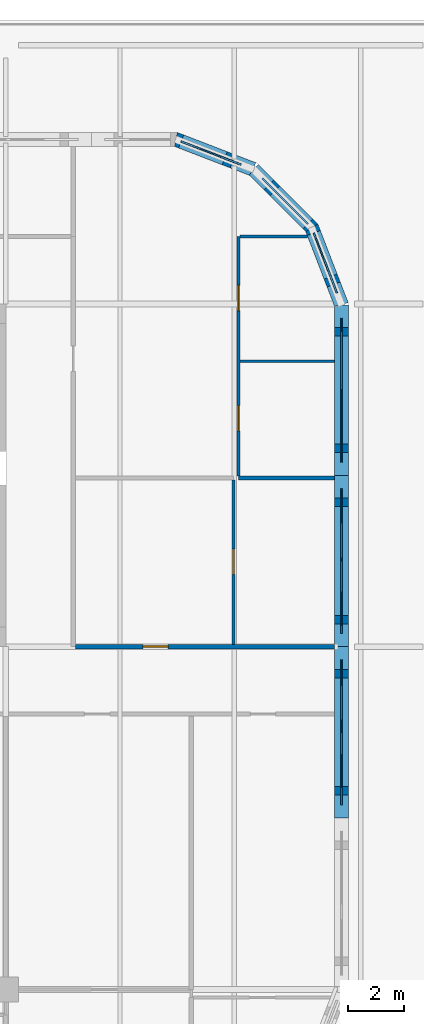
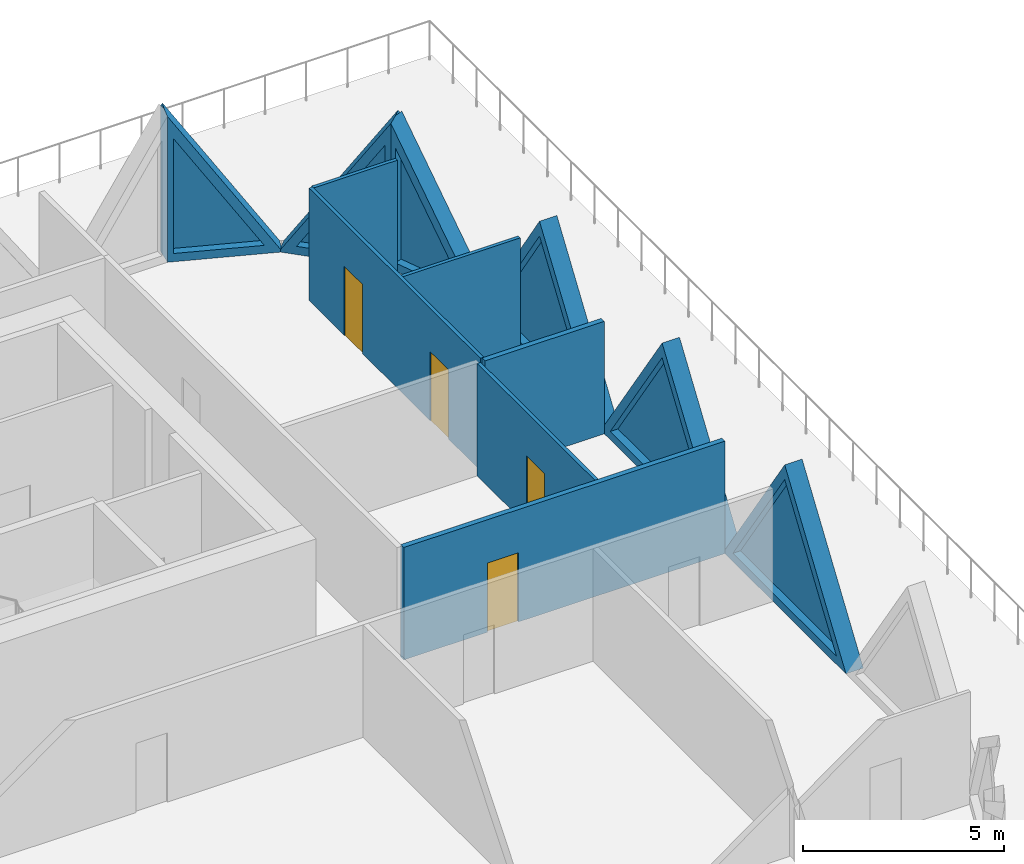
# One storey, part 17 of 21: 12 walls, 6 plates, 4 doors, 10 openings.
"""IFC4 building model written with IfcOpenShell, lengths in metres."""

import ifcopenshell
import ifcopenshell.guid

model = None  # the IFC model being written
_history = None  # IfcOwnerHistory: only IFC2X3 demands one
_inside = {}  # id of a spatial element -> (the spatial element, [elements in it])
_under = {}  # id of a project, library or spatial element -> (it, [spatial elements below it])
_declared = {}  # id of a project -> (the project, [libraries it declares])
_typed = {}  # id of a type object -> (the type object, [elements of that type])
_made_of = {}  # id of a material, layer set ... -> (it, [elements and type objects made of it])


def new_model(schema):
    """Start an empty IFC model of exactly this schema.

    Asked for "IFC4X3", IfcOpenShell would pick the latest addendum, in which some entities
    have other attributes; the version numbers below select the first issue.
    IFC2X3 requires an IfcOwnerHistory on every rooted entity: one is made here for all.
    """
    global model, _history
    if schema == "IFC4X3":
        model = ifcopenshell.file(schema_version=(4, 3, 0, 0))
    else:
        model = ifcopenshell.file(schema=schema)
    _inside.clear()
    _under.clear()
    _declared.clear()
    _typed.clear()
    _made_of.clear()
    _history = None
    if model.schema == "IFC2X3":
        org = make("IfcOrganization", Name="unknown")
        user = make(
            "IfcPersonAndOrganization",
            ThePerson=make("IfcPerson", FamilyName="unknown"),
            TheOrganization=org,
        )
        app = make(
            "IfcApplication",
            ApplicationDeveloper=org,
            Version="unknown",
            ApplicationFullName="unknown",
            ApplicationIdentifier="unknown",
        )
        _history = make(
            "IfcOwnerHistory",
            OwningUser=user,
            OwningApplication=app,
            ChangeAction="ADDED",
            CreationDate=0,
        )
    return model


def make(cls, **values):
    """One entity of the class cls with the attributes given. An attribute that is None is left unset."""
    return model.create_entity(
        cls, **{name: value for name, value in values.items() if value is not None}
    )


def rooted(cls, **values):
    """An entity with a GlobalId (a new one), such as an element, a storey or a relation."""
    return make(cls, GlobalId=ifcopenshell.guid.new(), OwnerHistory=_history, **values)


def si_unit(unit_type, name, prefix=None):
    """IfcSIUnit, for example si_unit("LENGTHUNIT", "METRE", prefix="MILLI")."""
    return make("IfcSIUnit", UnitType=unit_type, Prefix=prefix, Name=name)


def assignment(units):
    """IfcUnitAssignment: the units of a project."""
    return None if units is None else make("IfcUnitAssignment", Units=units)


def point(xyz):
    """IfcCartesianPoint."""
    return None if xyz is None else make("IfcCartesianPoint", Coordinates=xyz)


def direction(xyz):
    """IfcDirection."""
    return None if xyz is None else make("IfcDirection", DirectionRatios=xyz)


def frame(location, z_axis=None, x_axis=None):
    """IfcAxis2Placement3D, a coordinate frame: its origin and axes. An axis left out is left unset."""
    return make(
        "IfcAxis2Placement3D",
        Location=point(location),
        Axis=direction(z_axis),
        RefDirection=direction(x_axis),
    )


def frame_2d(location, x_axis=None):
    """IfcAxis2Placement2D, a coordinate frame in the plane: its origin and x axis."""
    return make(
        "IfcAxis2Placement2D", Location=point(location), RefDirection=direction(x_axis)
    )


def origin():
    """The frame at (0, 0, 0) with its axes left unset."""
    return frame((0.0, 0.0, 0.0))


def place(relative_to, where):
    """IfcLocalPlacement: puts the frame where relative to a parent placement (None: the world)."""
    return make(
        "IfcLocalPlacement", PlacementRelTo=relative_to, RelativePlacement=where
    )


def context(
    kind, dimensions, precision=None, world=None, true_north=None, identifier=None
):
    """IfcGeometricRepresentationContext, for example the 3D "Model" context."""
    return make(
        "IfcGeometricRepresentationContext",
        ContextIdentifier=identifier,
        ContextType=kind,
        CoordinateSpaceDimension=dimensions,
        Precision=precision,
        WorldCoordinateSystem=world,
        TrueNorth=true_north,
    )


def subcontext(parent, identifier, kind, view, scale=None):
    """IfcGeometricRepresentationSubContext, for example "Body" below "Model"."""
    return make(
        "IfcGeometricRepresentationSubContext",
        ContextIdentifier=identifier,
        ContextType=kind,
        ParentContext=parent,
        TargetScale=scale,
        TargetView=view,
    )


def project(units=None, contexts=None):
    """IfcProject with its units and contexts."""
    return rooted(
        "IfcProject",
        Name="project",
        RepresentationContexts=contexts,
        UnitsInContext=assignment(units),
    )


def spatial(cls, under=None, at=None, **own):
    """A site, building, storey or space (cls), placed at a placement, below another one or the project."""
    s = rooted(cls, ObjectPlacement=at, **own)
    if under is not None:
        _under.setdefault(under.id(), (under, []))[1].append(s)
    return s


def polyline(points):
    """IfcPolyline through the points."""
    return make("IfcPolyline", Points=[point(p) for p in points])


def profile(cls, at=None, kind="AREA", **sizes):
    """A parametric profile (cls). Its sizes go by their IFC names, for example OverallWidth=200.0."""
    return make(cls, ProfileType=kind, Position=at, **sizes)


def rectangle(**sizes):
    """IfcRectangleProfileDef."""
    return profile("IfcRectangleProfileDef", **sizes)


def outline(outer, holes=None, kind="AREA"):
    """IfcArbitraryClosedProfileDef: a profile drawn as a closed curve; with holes, ...WithVoids."""
    if holes is None:
        return make("IfcArbitraryClosedProfileDef", ProfileType=kind, OuterCurve=outer)
    return make(
        "IfcArbitraryProfileDefWithVoids",
        ProfileType=kind,
        OuterCurve=outer,
        InnerCurves=holes,
    )


def extrude(swept, where, along, depth):
    """IfcExtrudedAreaSolid: the profile swept, set in the frame where, extruded along a direction by depth."""
    return make(
        "IfcExtrudedAreaSolid",
        SweptArea=swept,
        Position=where,
        ExtrudedDirection=direction(along),
        Depth=depth,
    )


def faces_of(points, faces, orient=None, outer=None):
    """IfcFace entities. A face is a list of loops; a loop is a list of indices into points, from 0.

    orient and outer hold one flag for each loop. By default every Orientation is true, the
    first loop of a face is its IfcFaceOuterBound and the others are IfcFaceBound.
    """
    made = []
    for i, loops in enumerate(faces):
        bounds = []
        for j, loop in enumerate(loops):
            is_outer = j == 0 if outer is None else outer[i][j]
            bounds.append(
                make(
                    "IfcFaceOuterBound" if is_outer else "IfcFaceBound",
                    Bound=make("IfcPolyLoop", Polygon=[points[k] for k in loop]),
                    Orientation=True if orient is None else orient[i][j],
                )
            )
        made.append(make("IfcFace", Bounds=bounds))
    return made


def faceted_brep(points, faces, orient=None, outer=None, voids=None):
    """IfcFacetedBrep: a solid bounded by flat faces; with voids (closed shells), ...WithVoids."""
    shared = [point(p) for p in points]
    hull = make("IfcClosedShell", CfsFaces=faces_of(shared, faces, orient, outer))
    if voids is None:
        return make("IfcFacetedBrep", Outer=hull)
    return make(
        "IfcFacetedBrepWithVoids",
        Outer=hull,
        Voids=[
            make(cls, CfsFaces=faces_of(shared, fs, o, b)) for cls, fs, o, b in voids
        ],
    )


def shape(context_of_items, identifier, shape_type, items):
    """IfcShapeRepresentation: the items that make up one representation, for example the "Body"."""
    return make(
        "IfcShapeRepresentation",
        ContextOfItems=context_of_items,
        RepresentationIdentifier=identifier,
        RepresentationType=shape_type,
        Items=items,
    )


def source(mapping_origin, context_of_items, identifier, shape_type, items):
    """IfcRepresentationMap: a shape defined once, which mapped items show again and again."""
    return make(
        "IfcRepresentationMap",
        MappingOrigin=mapping_origin,
        MappedRepresentation=shape(context_of_items, identifier, shape_type, items),
    )


def transform(
    local_origin,
    x_axis=None,
    y_axis=None,
    z_axis=None,
    scale=None,
    scale2=None,
    scale3=None,
    uniform=True,
):
    """IfcCartesianTransformationOperator3D, or its non-uniform kind. x_axis, y_axis, z_axis: its Axis1, 2, 3."""
    if uniform:
        return make(
            "IfcCartesianTransformationOperator3D",
            Axis1=direction(x_axis),
            Axis2=direction(y_axis),
            LocalOrigin=point(local_origin),
            Scale=scale,
            Axis3=direction(z_axis),
        )
    return make(
        "IfcCartesianTransformationOperator3DnonUniform",
        Axis1=direction(x_axis),
        Axis2=direction(y_axis),
        LocalOrigin=point(local_origin),
        Scale=scale,
        Axis3=direction(z_axis),
        Scale2=scale2,
        Scale3=scale3,
    )


def mapped(mapping_source, mapping_target):
    """IfcMappedItem: shows the shape of a source again, moved by a transform."""
    return make(
        "IfcMappedItem", MappingSource=mapping_source, MappingTarget=mapping_target
    )


def material(Name=None, Category=None):
    """IfcMaterial."""
    return make("IfcMaterial", Name=Name, Category=Category)


def layer(
    of_material, thickness, ventilated=None, Name=None, Category=None, Priority=None
):
    """IfcMaterialLayer: one layer of a wall or slab, of a material (None: an air gap)."""
    return make(
        "IfcMaterialLayer",
        Material=of_material,
        LayerThickness=thickness,
        IsVentilated=ventilated,
        Name=Name,
        Category=Category,
        Priority=Priority,
    )


def layer_set(layers, Name=None):
    """IfcMaterialLayerSet."""
    return make("IfcMaterialLayerSet", MaterialLayers=layers, LayerSetName=Name)


def made_of(thing, what):
    """Note that an element or type object is made of a material, layer set ...; save() writes the relation."""
    if what is not None:
        _made_of.setdefault(what.id(), (what, []))[1].append(thing)
    return thing


def type_object(cls, material=None, **own):
    """A type object (cls), such as IfcWallType, which elements share."""
    return made_of(rooted(cls, **own), material)


def element(
    cls,
    number,
    at=None,
    inside=None,
    cuts=None,
    type_object=None,
    material=None,
    context=None,
    identifier="Body",
    shape_type=None,
    held_by="IfcProductDefinitionShape",
    body=None,
    shapes=None,
    **own,
):
    """One element of the class cls, such as IfcWall. Its Tag is "e" and its number.

    at: its placement. inside: the storey or other place that contains it. cuts: it is an
    opening in that element (IfcRelVoidsElement). A single representation is given by context,
    identifier, shape_type and body (its items); several are given by shapes. held_by: the class
    of the entity that holds the representations. save() writes the other relations.
    """
    e = rooted(cls, Tag="e%d" % number, ObjectPlacement=at, **own)
    if body is not None:
        shapes = [shape(context, identifier, shape_type, body)]
    if shapes is not None:
        e.Representation = make(held_by, Representations=shapes)
    if inside is not None:
        _inside.setdefault(inside.id(), (inside, []))[1].append(e)
    if cuts is not None:
        rooted(
            "IfcRelVoidsElement", RelatingBuildingElement=cuts, RelatedOpeningElement=e
        )
    if type_object is not None:
        _typed.setdefault(type_object.id(), (type_object, []))[1].append(e)
    return made_of(e, material)


def fill(opening, filler):
    """IfcRelFillsElement: the door or window that sits in an opening."""
    return rooted(
        "IfcRelFillsElement",
        RelatingOpeningElement=opening,
        RelatedBuildingElement=filler,
    )


def aggregate(whole, parts):
    """IfcRelAggregates: a whole, such as a stair, and the parts it consists of."""
    return rooted("IfcRelAggregates", RelatingObject=whole, RelatedObjects=parts)


def save(model, path):
    """Write the relations noted so far, then the file.

    IfcRelAggregates (storeys below a building ...), IfcRelContainedInSpatialStructure (elements
    in a storey), IfcRelDefinesByType, IfcRelAssociatesMaterial and IfcRelDeclares: one each for
    every whole, place, type object, material and project.
    """
    for whole, parts in _under.values():
        aggregate(whole, parts)
    for where, things in _inside.values():
        rooted(
            "IfcRelContainedInSpatialStructure",
            RelatedElements=things,
            RelatingStructure=where,
        )
    for kind, things in _typed.values():
        rooted("IfcRelDefinesByType", RelatedObjects=things, RelatingType=kind)
    for what, things in _made_of.values():
        rooted("IfcRelAssociatesMaterial", RelatedObjects=things, RelatingMaterial=what)
    for by, libraries in _declared.values():
        rooted("IfcRelDeclares", RelatingContext=by, RelatedDefinitions=libraries)
    model.write(path)


model = new_model("IFC4")

# Units and contexts
model_context = context("Model", 3, precision=1e-05, world=origin(), true_north=direction((0.0, 1.0)))
body_context = subcontext(model_context, "Body", "Model", "MODEL_VIEW")
ifc_project = project(units=[si_unit("LENGTHUNIT", "METRE"), si_unit("AREAUNIT", "SQUARE_METRE"), si_unit("VOLUMEUNIT", "CUBIC_METRE"), si_unit("PLANEANGLEUNIT", "RADIAN"), si_unit("MASSUNIT", "GRAM", prefix="KILO")], contexts=[model_context])

# Site, building, storey
site_placement = place(None, origin())
site = spatial("IfcSite", under=ifc_project, at=site_placement, CompositionType="ELEMENT")
building_placement = place(site_placement, origin())
building = spatial("IfcBuilding", under=site, at=building_placement, Name="Tessera Gate Towers", CompositionType="ELEMENT")
storey_placement = place(building_placement, frame((0.0, 0.0, 16.800048828125)))
storey = spatial("IfcBuildingStorey", under=building, at=storey_placement, Name="L03", CompositionType="ELEMENT", Elevation=16.800048828125)

# Wall, opening, door
ifc_material_1 = material(Name="Gypsum board on steel studs, mineral wool", Category="steel")
ifc_layer_1 = layer(ifc_material_1, 0.14990234375)
ifc_layer_set_1 = layer_set([ifc_layer_1], Name="CORRIDOR WALL 150")
wall_type_1 = type_object("IfcWallType", Name="CORRIDOR WALL 150", PredefinedType="PARTITIONING", material=ifc_layer_set_1)
wall_1_placement = place(storey_placement, frame((124.47607421875, 36.60009765625, 0.0), z_axis=(0.0, 0.0, 1.0), x_axis=(1.0, 0.0, 0.0)))
wall_1 = element("IfcWall", 1, at=wall_1_placement, inside=storey, type_object=wall_type_1, Name="T2-L03-PW-026", PredefinedType="PARTITIONING", context=body_context, shape_type="SweptSolid", body=[
    extrude(rectangle(XDim=9.223876953125, YDim=0.14990234375, at=frame_2d((4.61181640625, 0.0))), origin(), (0.0, 0.0, 1.0), 3.4150390625),
])
shared_shape_1 = source(origin(), body_context, "Body", "SweptSolid", [
    extrude(rectangle(XDim=0.89990234375, YDim=2.10009765625, at=frame_2d((0.449951171875, 1.050048828125))), frame((0.0, 0.0849609375, 0.0), z_axis=(0.0, -1.0, 0.0), x_axis=(1.0, 0.0, 0.0)), (0.0, 0.0, 1.0), 0.169921875),
])
opening_1_placement = place(wall_1_placement, frame((2.39990234375, 0.0, 0.0)))
opening_1 = element("IfcOpeningElement", 2, at=opening_1_placement, cuts=wall_1, Name="Opening D890FD60-B01-08", PredefinedType="OPENING", context=body_context, shape_type="MappedRepresentation", body=[
    mapped(shared_shape_1, transform((0.0, 0.0, 0.0), scale=1.0)),
])
ifc_material_2 = material(Name="Timber door leaf in steel frame", Category="steel")
door_type_1 = type_object("IfcDoorType", Name="CORRIDOR DOOR 900 FD60", OperationType="NOTDEFINED", PredefinedType="DOOR", material=ifc_material_2)
shared_shape_2 = source(origin(), body_context, "Body", "SweptSolid", [
    extrude(rectangle(XDim=0.89990234375, YDim=2.10009765625, at=frame_2d((0.449951171875, 1.050048828125))), frame((0.0, 0.02490234375, 0.0), z_axis=(0.0, -1.0, 0.0), x_axis=(1.0, 0.0, 0.0)), (0.0, 0.0, 1.0), 0.050048828125),
])
door_1_placement = place(opening_1_placement, origin())
door_1 = element("IfcDoor", 3, at=door_1_placement, inside=storey, type_object=door_type_1, Name="T2-L03-PD-022", OperationType="SINGLE_SWING_LEFT", OverallHeight=2.10009765625, OverallWidth=0.89990234375, PredefinedType="DOOR", context=body_context, shape_type="MappedRepresentation", body=[
    mapped(shared_shape_2, transform((0.0, 0.0, 0.0), scale=1.0)),
])
fill(opening_1, door_1)

ifc_material_3 = material(Name="Glass", Category="glass")
ifc_layer_2 = layer(ifc_material_3, 0.10009765625)
ifc_layer_set_2 = layer_set([ifc_layer_2], Name="GLAZED PARTITION 100")
wall_type_2 = type_object("IfcWallType", Name="GLAZED PARTITION 100", PredefinedType="PARTITIONING", material=ifc_layer_set_2)
wall_2_placement = place(storey_placement, frame((130.10009765625, 42.52392578125, 0.0), z_axis=(0.0, 0.0, 1.0), x_axis=(0.0, -1.0, 0.0)))
wall_2 = element("IfcWall", 4, at=wall_2_placement, inside=storey, type_object=wall_type_2, Name="T2-L03-PW-028", PredefinedType="PARTITIONING", context=body_context, shape_type="SweptSolid", body=[
    extrude(rectangle(XDim=5.847900390625, YDim=0.10009765625, at=frame_2d((2.923828125, 0.0))), origin(), (0.0, 0.0, 1.0), 3.4150390625),
])
shared_shape_3 = source(origin(), body_context, "Body", "SweptSolid", [
    extrude(rectangle(XDim=0.89990234375, YDim=2.10009765625, at=frame_2d((0.449951171875, 1.050048828125))), frame((0.0, 0.06005859375, 0.0), z_axis=(0.0, -1.0, 0.0), x_axis=(1.0, 0.0, 0.0)), (0.0, 0.0, 1.0), 0.1201171875),
])
opening_2_placement = place(wall_2_placement, frame((2.447998046875, 0.0, 0.0)))
opening_2 = element("IfcOpeningElement", 5, at=opening_2_placement, cuts=wall_2, Name="Opening D690-B01-05", PredefinedType="OPENING", context=body_context, shape_type="MappedRepresentation", body=[
    mapped(shared_shape_3, transform((0.0, 0.0, 0.0), scale=1.0)),
])
ifc_material_4 = material(Name="Glass in aluminium frame", Category="aluminium")
door_type_2 = type_object("IfcDoorType", Name="GLAZED DOOR 900 NOT RATED", OperationType="NOTDEFINED", PredefinedType="DOOR", material=ifc_material_4)
door_2_placement = place(opening_2_placement, origin())
door_2 = element("IfcDoor", 6, at=door_2_placement, inside=storey, type_object=door_type_2, Name="T2-L03-PD-010", OperationType="SINGLE_SWING_RIGHT", OverallHeight=2.10009765625, OverallWidth=0.89990234375, PredefinedType="DOOR", context=body_context, shape_type="MappedRepresentation", body=[
    mapped(shared_shape_2, transform((0.0, 0.0, 0.0), scale=1.0)),
])
fill(opening_2, door_2)

# Wall, openings, doors
ifc_material_5 = material(Name="Gypsum board on steel studs", Category="steel")
ifc_layer_3 = layer(ifc_material_5, 0.10009765625)
ifc_layer_set_3 = layer_set([ifc_layer_3], Name="PARTITION 100")
wall_type_3 = type_object("IfcWallType", Name="PARTITION 100", PredefinedType="PARTITIONING", material=ifc_layer_set_3)
wall_3_placement = place(storey_placement, frame((130.280029296875, 51.199951171875, 0.0), z_axis=(0.0, 0.0, 1.0), x_axis=(0.0, -1.0, 0.0)))
wall_3 = element("IfcWall", 7, at=wall_3_placement, inside=storey, type_object=wall_type_3, Name="T2-L03-PW-033", PredefinedType="PARTITIONING", context=body_context, shape_type="SweptSolid", body=[
    extrude(rectangle(XDim=8.52392578125, YDim=0.10009765625, at=frame_2d((4.261962890625, 0.0))), origin(), (0.0, 0.0, 1.0), 3.4150390625),
])
opening_3_placement = place(wall_3_placement, frame((6.02392578125, 0.0, 0.0)))
opening_3 = element("IfcOpeningElement", 8, at=opening_3_placement, cuts=wall_3, Name="Opening D190-B01-01", PredefinedType="OPENING", context=body_context, shape_type="MappedRepresentation", body=[
    mapped(shared_shape_3, transform((0.0, 0.0, 0.0), scale=1.0)),
])
opening_4_placement = place(wall_3_placement, frame((1.745361328125, 0.0, 0.0)))
opening_4 = element("IfcOpeningElement", 9, at=opening_4_placement, cuts=wall_3, Name="Opening D190-B01-06", PredefinedType="OPENING", context=body_context, shape_type="MappedRepresentation", body=[
    mapped(shared_shape_3, transform((0.0, 0.0, 0.0), scale=1.0)),
])
ifc_material_6 = material(Name="Timber door leaf in steel frame", Category="steel")
door_type_3 = type_object("IfcDoorType", Name="INTERNAL DOOR 900 NOT RATED", OperationType="NOTDEFINED", PredefinedType="DOOR", material=ifc_material_6)
door_3_placement = place(opening_3_placement, origin())
door_3 = element("IfcDoor", 10, at=door_3_placement, inside=storey, type_object=door_type_3, Name="T2-L03-PD-001", OperationType="SINGLE_SWING_RIGHT", OverallHeight=2.10009765625, OverallWidth=0.89990234375, PredefinedType="DOOR", context=body_context, shape_type="MappedRepresentation", body=[
    mapped(shared_shape_2, transform((0.0, 0.0, 0.0), scale=1.0)),
])
fill(opening_3, door_3)
door_4_placement = place(opening_4_placement, origin())
door_4 = element("IfcDoor", 11, at=door_4_placement, inside=storey, type_object=door_type_3, Name="T2-L03-PD-015", OperationType="SINGLE_SWING_RIGHT", OverallHeight=2.10009765625, OverallWidth=0.89990234375, PredefinedType="DOOR", context=body_context, shape_type="MappedRepresentation", body=[
    mapped(shared_shape_2, transform((0.0, 0.0, 0.0), scale=1.0)),
])
fill(opening_4, door_4)

# Walls
wall_4_placement = place(storey_placement, frame((130.3310546875, 46.7548828125, 0.0), z_axis=(0.0, 0.0, 1.0), x_axis=(1.0, 0.0, 0.0)))
element("IfcWall", 12, at=wall_4_placement, inside=storey, type_object=wall_type_3, Name="T2-L03-PW-034", PredefinedType="PARTITIONING", context=body_context, shape_type="SweptSolid", body=[
    extrude(rectangle(XDim=3.368896484375, YDim=0.10009765625, at=frame_2d((1.6845703125, 0.0))), origin(), (0.0, 0.0, 1.0), 3.4150390625),
])
wall_5_placement = place(storey_placement, frame((130.3310546875, 51.199951171875, 0.0), z_axis=(0.0, 0.0, 1.0), x_axis=(1.0, 0.0, 0.0)))
element("IfcWall", 13, at=wall_5_placement, inside=storey, type_object=wall_type_3, Name="T2-L03-PW-040", PredefinedType="PARTITIONING", context=body_context, shape_type="SweptSolid", body=[
    extrude(rectangle(XDim=2.4072265625, YDim=0.10009765625, at=frame_2d((1.20361328125, 0.0))), origin(), (0.0, 0.0, 1.0), 3.4150390625),
])
ifc_material_7 = material(Name="Gypsum board on steel studs, mineral wool", Category="steel")
ifc_layer_4 = layer(ifc_material_7, 0.14990234375)
ifc_layer_set_4 = layer_set([ifc_layer_4], Name="TENANCY WALL 150")
wall_type_4 = type_object("IfcWallType", Name="TENANCY WALL 150", PredefinedType="PARTITIONING", material=ifc_layer_set_4)
wall_6_placement = place(storey_placement, frame((130.280029296875, 42.60009765625, 0.0), z_axis=(0.0, 0.0, 1.0), x_axis=(1.0, 0.0, 0.0)))
element("IfcWall", 14, at=wall_6_placement, inside=storey, type_object=wall_type_4, Name="T2-L03-PW-031", PredefinedType="PARTITIONING", context=body_context, shape_type="SweptSolid", body=[
    extrude(rectangle(XDim=3.419921875, YDim=0.14990234375, at=frame_2d((1.7099609375, 0.0))), origin(), (0.0, 0.0, 1.0), 3.4150390625),
])

# Wall, opening, plate
ifc_material_8 = material(Name="Precast concrete C60/75 white", Category="concrete")
ifc_layer_5 = layer(ifc_material_8, 0.5)
ifc_layer_set_5 = layer_set([ifc_layer_5], Name="TS2 half tessera")
wall_type_5 = type_object("IfcWallType", Name="TS2 half tessera", PredefinedType="SOLIDWALL", material=ifc_layer_set_5)
shared_shape_4 = source(origin(), body_context, "Body", "Brep", [
    faceted_brep([(6.099853515625, -0.25, 0.000244140625), (3.050048828125, -0.25, 4.5), (0.0, -0.25, 0.0), (6.099853515625, -0.25, 0.0), (0.0, 0.25, 0.0), (3.050048828125, 0.25, 4.5), (6.099853515625, 0.25, 0.000244140625), (6.099853515625, 0.25, 0.0)], [[[0, 1, 2, 3]], [[4, 5, 6, 7]], [[6, 5, 1, 0]], [[5, 4, 2, 1]], [[4, 7, 3, 2]], [[3, 7, 6, 0]]]),
])
wall_7_placement = place(storey_placement, frame((133.949951171875, 36.60009765625, 0.0), z_axis=(0.0, 0.0, 1.0), x_axis=(0.0, 1.0, 0.0)))
wall_7 = element("IfcWall", 15, at=wall_7_placement, inside=storey, type_object=wall_type_5, Name="Precast half tessera T2 TS2-0008", PredefinedType="SOLIDWALL", context=body_context, shape_type="MappedRepresentation", body=[
    mapped(shared_shape_4, transform((0.0, 0.0, 0.0), scale=1.0)),
])
shared_shape_5 = source(origin(), body_context, "Body", "SweptSolid", [
    extrude(outline(polyline([(5.628662109375, 0.25), (3.050048828125, 4.054443359375), (0.471435546875, 0.25), (5.628662109375, 0.25)])), frame((0.0, 0.260009765625, 0.0), z_axis=(0.0, -1.0, 0.0), x_axis=(1.0, 0.0, 0.0)), (0.0, 0.0, 1.0), 0.52001953125),
])
opening_5_placement = place(wall_7_placement, origin())
opening_5 = element("IfcOpeningElement", 16, at=opening_5_placement, cuts=wall_7, Name="Opening T2-PL1-0014", PredefinedType="OPENING", context=body_context, shape_type="MappedRepresentation", body=[
    mapped(shared_shape_5, transform((0.0, 0.0, 0.0), scale=1.0)),
])
ifc_material_9 = material(Name="Low-e laminated glass", Category="glass")
ifc_layer_6 = layer(ifc_material_9, 0.06005859375)
ifc_layer_set_6 = layer_set([ifc_layer_6], Name="PL1 triangular pane")
plate_type = type_object("IfcPlateType", Name="PL1 triangular pane", PredefinedType="SHEET", material=ifc_layer_set_6)
shared_shape_6 = source(origin(), body_context, "Body", "SweptSolid", [
    extrude(outline(polyline([(5.628662109375, 0.25), (3.050048828125, 4.054443359375), (0.471435546875, 0.25), (5.628662109375, 0.25)])), frame((0.0, 0.030029296875, 0.0), z_axis=(0.0, -1.0, 0.0), x_axis=(1.0, 0.0, 0.0)), (0.0, 0.0, 1.0), 0.06005859375),
])
plate_1_placement = place(opening_5_placement, origin())
plate_1 = element("IfcPlate", 17, at=plate_1_placement, inside=storey, type_object=plate_type, Name="Glass pane T2 PL1-0014", PredefinedType="SHEET", context=body_context, shape_type="MappedRepresentation", body=[
    mapped(shared_shape_6, transform((0.0, 0.0, 0.0), scale=1.0)),
])
fill(opening_5, plate_1)

shared_shape_7 = source(origin(), body_context, "Body", "SweptSolid", [
    extrude(outline(polyline([(6.10009765625, 0.0), (3.050048828125, 4.5), (0.0, 0.0), (6.10009765625, 0.0)])), frame((0.0, 0.25, 0.0), z_axis=(0.0, -1.0, 0.0), x_axis=(1.0, 0.0, 0.0)), (0.0, 0.0, 1.0), 0.5),
])
wall_8_placement = place(storey_placement, frame((133.949951171875, 30.5, 0.0), z_axis=(0.0, 0.0, 1.0), x_axis=(0.0, 1.0, 0.0)))
wall_8 = element("IfcWall", 18, at=wall_8_placement, inside=storey, type_object=wall_type_5, Name="Precast half tessera T2 TS2-0007", PredefinedType="SOLIDWALL", context=body_context, shape_type="MappedRepresentation", body=[
    mapped(shared_shape_7, transform((0.0, 0.0, 0.0), scale=1.0)),
])
opening_6_placement = place(wall_8_placement, origin())
opening_6 = element("IfcOpeningElement", 19, at=opening_6_placement, cuts=wall_8, Name="Opening T2-PL1-0013", PredefinedType="OPENING", context=body_context, shape_type="MappedRepresentation", body=[
    mapped(shared_shape_5, transform((0.0, 0.0, 0.0), scale=1.0)),
])
plate_2_placement = place(opening_6_placement, origin())
plate_2 = element("IfcPlate", 20, at=plate_2_placement, inside=storey, type_object=plate_type, Name="Glass pane T2 PL1-0013", PredefinedType="SHEET", context=body_context, shape_type="MappedRepresentation", body=[
    mapped(shared_shape_6, transform((0.0, 0.0, 0.0), scale=1.0)),
])
fill(opening_6, plate_2)

shared_shape_8 = source(origin(), body_context, "Body", "Brep", [
    faceted_brep([(6.053466796875, -0.25, 0.0), (3.050048828125, -0.25, 4.5), (0.0, -0.25, 0.0), (0.0, 0.25, 0.0), (3.050048828125, 0.25, 4.5), (6.0068359375, 0.25, 0.06982421875), (6.0068359375, 0.25, 0.0), (6.053466796875, 0.0, 0.0)], [[[0, 1, 2]], [[3, 4, 5, 6]], [[5, 4, 1, 0, 7]], [[4, 3, 2, 1]], [[3, 6, 7, 0, 2]], [[7, 6, 5]]]),
])
wall_9_placement = place(storey_placement, frame((133.949951171875, 42.699951171875, 0.0), z_axis=(0.0, 0.0, 1.0), x_axis=(0.0, 1.0, 0.0)))
wall_9 = element("IfcWall", 21, at=wall_9_placement, inside=storey, type_object=wall_type_5, Name="Precast half tessera T2 TS2-0009", PredefinedType="SOLIDWALL", context=body_context, shape_type="MappedRepresentation", body=[
    mapped(shared_shape_8, transform((0.0, 0.0, 0.0), scale=1.0)),
])
shared_shape_9 = source(origin(), body_context, "Body", "SweptSolid", [
    extrude(outline(polyline([(5.5859375, 0.25), (3.04833984375, 4.052001953125), (0.471435546875, 0.25), (5.5859375, 0.25)])), frame((0.0, 0.260009765625, 0.0), z_axis=(0.0, -1.0, 0.0), x_axis=(1.0, 0.0, 0.0)), (0.0, 0.0, 1.0), 0.52001953125),
])
opening_7_placement = place(wall_9_placement, origin())
opening_7 = element("IfcOpeningElement", 22, at=opening_7_placement, cuts=wall_9, Name="Opening T2-PL1-0015", PredefinedType="OPENING", context=body_context, shape_type="MappedRepresentation", body=[
    mapped(shared_shape_9, transform((0.0, 0.0, 0.0), scale=1.0)),
])
shared_shape_10 = source(origin(), body_context, "Body", "SweptSolid", [
    extrude(outline(polyline([(5.5859375, 0.25), (3.04833984375, 4.052001953125), (0.471435546875, 0.25), (5.5859375, 0.25)])), frame((0.0, 0.030029296875, 0.0), z_axis=(0.0, -1.0, 0.0), x_axis=(1.0, 0.0, 0.0)), (0.0, 0.0, 1.0), 0.06005859375),
])
plate_3_placement = place(opening_7_placement, origin())
plate_3 = element("IfcPlate", 23, at=plate_3_placement, inside=storey, type_object=plate_type, Name="Glass pane T2 PL1-0015", PredefinedType="SHEET", context=body_context, shape_type="MappedRepresentation", body=[
    mapped(shared_shape_10, transform((0.0, 0.0, 0.0), scale=1.0)),
])
fill(opening_7, plate_3)

ifc_material_10 = material(Name="Precast concrete C60/75 white", Category="concrete")
ifc_layer_7 = layer(ifc_material_10, 0.5)
ifc_layer_set_7 = layer_set([ifc_layer_7], Name="TS3 corner tessera")
wall_type_6 = type_object("IfcWallType", Name="TS3 corner tessera", PredefinedType="SOLIDWALL", material=ifc_layer_set_7)
shared_shape_11 = source(origin(), body_context, "Body", "Brep", [
    faceted_brep([(2.9970703125, -0.25, 4.43017578125), (2.950439453125, -0.25, 4.5), (0.0, -0.25, 0.0), (2.9970703125, -0.25, 0.0), (0.052978515625, 0.25, 0.080810546875), (2.904052734375, 0.25, 4.42919921875), (2.904052734375, 0.25, 0.0), (0.052978515625, 0.25, 0.0), (2.950439453125, 0.00048828125, 4.5), (0.0, 0.0, 0.0)], [[[0, 1, 2, 3]], [[4, 5, 6, 7]], [[8, 1, 0]], [[5, 4, 9, 2, 1, 8]], [[7, 6, 3, 2, 9]], [[7, 9, 4]], [[3, 6, 5, 8, 0]]]),
])
wall_10_placement = place(storey_placement, frame((130.80615234375, 53.588134765625, 0.0), z_axis=(0.0, 0.0, 1.0), x_axis=(-0.932990326376, 0.359901446078, 0.0)))
wall_10 = element("IfcWall", 24, at=wall_10_placement, inside=storey, type_object=wall_type_6, Name="Precast corner tessera T2 TS3-0009", PredefinedType="SOLIDWALL", context=body_context, shape_type="MappedRepresentation", body=[
    mapped(shared_shape_11, transform((0.0, 0.0, 0.0), scale=1.0)),
])
shared_shape_12 = source(origin(), body_context, "Body", "SweptSolid", [
    extrude(outline(polyline([(2.75048828125, 3.739013671875), (0.462890625, 0.25), (2.75048828125, 0.25), (2.75048828125, 3.739013671875)])), frame((0.0, 0.260009765625, 0.0), z_axis=(0.0, -1.0, 0.0), x_axis=(1.0, 0.0, 0.0)), (0.0, 0.0, 1.0), 0.52001953125),
])
opening_8_placement = place(wall_10_placement, origin())
opening_8 = element("IfcOpeningElement", 25, at=opening_8_placement, cuts=wall_10, Name="Opening T2-PL1-0018", PredefinedType="OPENING", context=body_context, shape_type="MappedRepresentation", body=[
    mapped(shared_shape_12, transform((0.0, 0.0, 0.0), scale=1.0)),
])
shared_shape_13 = source(origin(), body_context, "Body", "SweptSolid", [
    extrude(outline(polyline([(2.75048828125, 3.739013671875), (0.462890625, 0.25), (2.75048828125, 0.25), (2.75048828125, 3.739013671875)])), frame((0.0, 0.030029296875, 0.0), z_axis=(0.0, -1.0, 0.0), x_axis=(1.0, 0.0, 0.0)), (0.0, 0.0, 1.0), 0.06005859375),
])
plate_4_placement = place(opening_8_placement, origin())
plate_4 = element("IfcPlate", 26, at=plate_4_placement, inside=storey, type_object=plate_type, Name="Glass pane T2 PL1-0018", PredefinedType="SHEET", context=body_context, shape_type="MappedRepresentation", body=[
    mapped(shared_shape_13, transform((0.0, 0.0, 0.0), scale=1.0)),
])
fill(opening_8, plate_4)

shared_shape_14 = source(origin(), body_context, "Body", "Brep", [
    faceted_brep([(2.9970703125, -0.25, 0.0), (0.052978515625, -0.25, 4.5), (0.0, -0.25, 4.419189453125), (0.0, -0.25, 0.0), (0.10595703125, 0.25, 4.419189453125), (2.944091796875, 0.25, 0.080810546875), (2.944091796875, 0.25, 0.0), (0.10595703125, 0.25, 0.0), (0.052978515625, 0.0, 4.5), (2.9970703125, 0.000244140625, 0.0)], [[[0, 1, 2, 3]], [[4, 5, 6, 7]], [[5, 4, 8, 1, 0, 9]], [[2, 1, 8]], [[7, 6, 9, 0, 3]], [[7, 3, 2, 8, 4]], [[9, 6, 5]]]),
])
wall_11_placement = place(storey_placement, frame((132.925537109375, 51.46875, 0.0), z_axis=(0.0, 0.0, 1.0), x_axis=(-0.707066050402, 0.707147509625, 0.0)))
wall_11 = element("IfcWall", 27, at=wall_11_placement, inside=storey, type_object=wall_type_6, Name="Precast corner tessera T2 TS3-0008", PredefinedType="SOLIDWALL", context=body_context, shape_type="MappedRepresentation", body=[
    mapped(shared_shape_14, transform((0.0, 0.0, 0.0), scale=1.0)),
])
shared_shape_15 = source(origin(), body_context, "Body", "SweptSolid", [
    extrude(outline(polyline([(2.534912109375, 0.25), (0.2529296875, 3.737548828125), (0.2529296875, 0.25), (2.534912109375, 0.25)])), frame((0.0, 0.260009765625, 0.0), z_axis=(0.0, -1.0, 0.0), x_axis=(1.0, 0.0, 0.0)), (0.0, 0.0, 1.0), 0.52001953125),
])
opening_9_placement = place(wall_11_placement, origin())
opening_9 = element("IfcOpeningElement", 28, at=opening_9_placement, cuts=wall_11, Name="Opening T2-PL1-0017", PredefinedType="OPENING", context=body_context, shape_type="MappedRepresentation", body=[
    mapped(shared_shape_15, transform((0.0, 0.0, 0.0), scale=1.0)),
])
shared_shape_16 = source(origin(), body_context, "Body", "SweptSolid", [
    extrude(outline(polyline([(2.534912109375, 0.25), (0.2529296875, 3.737548828125), (0.2529296875, 0.25), (2.534912109375, 0.25)])), frame((0.0, 0.030029296875, 0.0), z_axis=(0.0, -1.0, 0.0), x_axis=(1.0, 0.0, 0.0)), (0.0, 0.0, 1.0), 0.06005859375),
])
plate_5_placement = place(opening_9_placement, origin())
plate_5 = element("IfcPlate", 29, at=plate_5_placement, inside=storey, type_object=plate_type, Name="Glass pane T2 PL1-0017", PredefinedType="SHEET", context=body_context, shape_type="MappedRepresentation", body=[
    mapped(shared_shape_16, transform((0.0, 0.0, 0.0), scale=1.0)),
])
fill(opening_9, plate_5)

shared_shape_17 = source(origin(), body_context, "Body", "Brep", [
    faceted_brep([(3.00341796875, -0.25, 4.4189453125), (2.950439453125, -0.25, 4.5), (0.0, -0.25, 0.0), (3.00341796875, -0.25, 0.0), (0.046630859375, 0.25, 0.071044921875), (2.897705078125, 0.25, 4.41943359375), (2.897705078125, 0.25, 0.0), (0.046630859375, 0.25, 0.0), (2.950439453125, 0.00048828125, 4.5), (0.0, 0.0, 0.0)], [[[0, 1, 2, 3]], [[4, 5, 6, 7]], [[8, 1, 0]], [[5, 4, 9, 2, 1, 8]], [[7, 6, 3, 2, 9]], [[7, 9, 4]], [[3, 6, 5, 8, 0]]]),
])
wall_12_placement = place(storey_placement, frame((133.949951171875, 48.75341796875, 0.0), z_axis=(0.0, 0.0, 1.0), x_axis=(-0.359855894603, 0.933007896601, 0.0)))
wall_12 = element("IfcWall", 30, at=wall_12_placement, inside=storey, type_object=wall_type_6, Name="Precast corner tessera T2 TS3-0007", PredefinedType="SOLIDWALL", context=body_context, shape_type="MappedRepresentation", body=[
    mapped(shared_shape_17, transform((0.0, 0.0, 0.0), scale=1.0)),
])
opening_10_placement = place(wall_12_placement, origin())
opening_10 = element("IfcOpeningElement", 31, at=opening_10_placement, cuts=wall_12, Name="Opening T2-PL1-0016", PredefinedType="OPENING", context=body_context, shape_type="MappedRepresentation", body=[
    mapped(shared_shape_12, transform((0.0, 0.0, 0.0), scale=1.0)),
])
plate_6_placement = place(opening_10_placement, origin())
plate_6 = element("IfcPlate", 32, at=plate_6_placement, inside=storey, type_object=plate_type, Name="Glass pane T2 PL1-0016", PredefinedType="SHEET", context=body_context, shape_type="MappedRepresentation", body=[
    mapped(shared_shape_13, transform((0.0, 0.0, 0.0), scale=1.0)),
])
fill(opening_10, plate_6)

save(model, "model.ifc")
